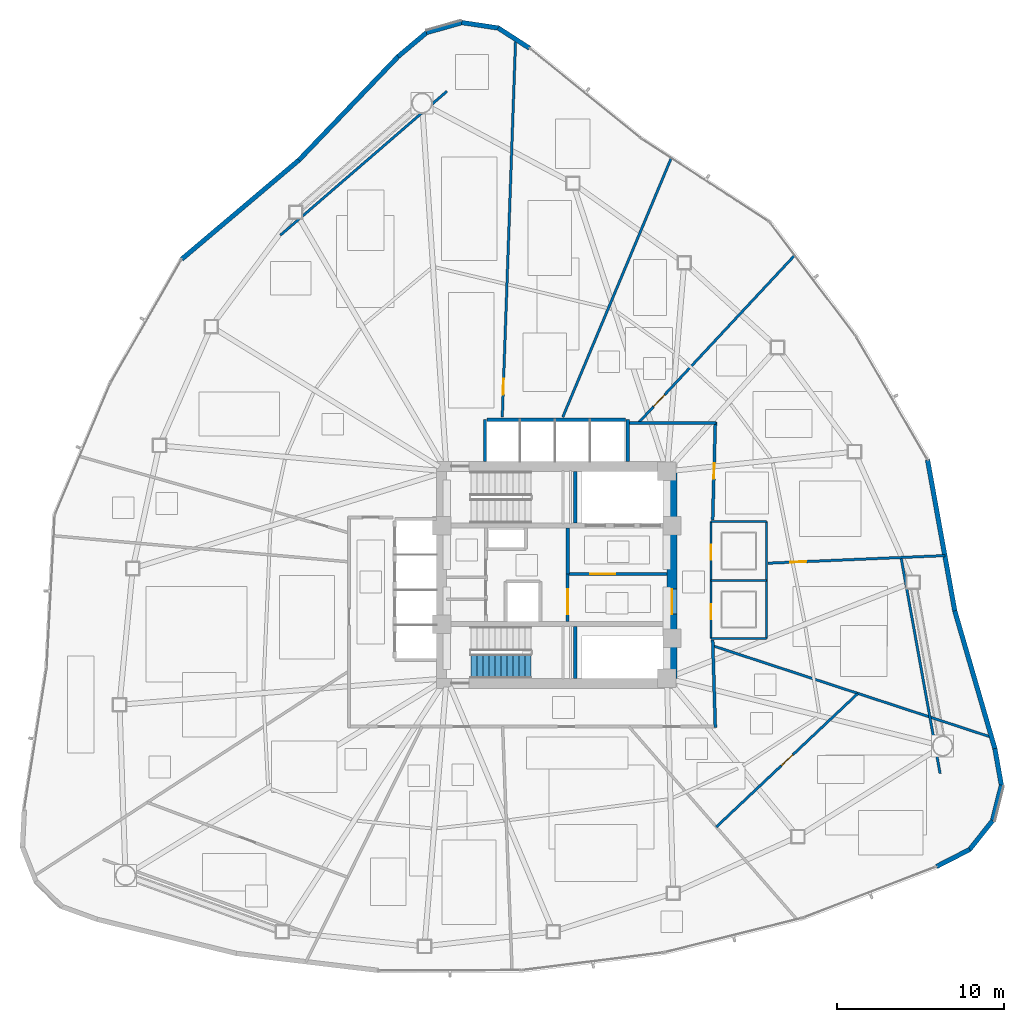
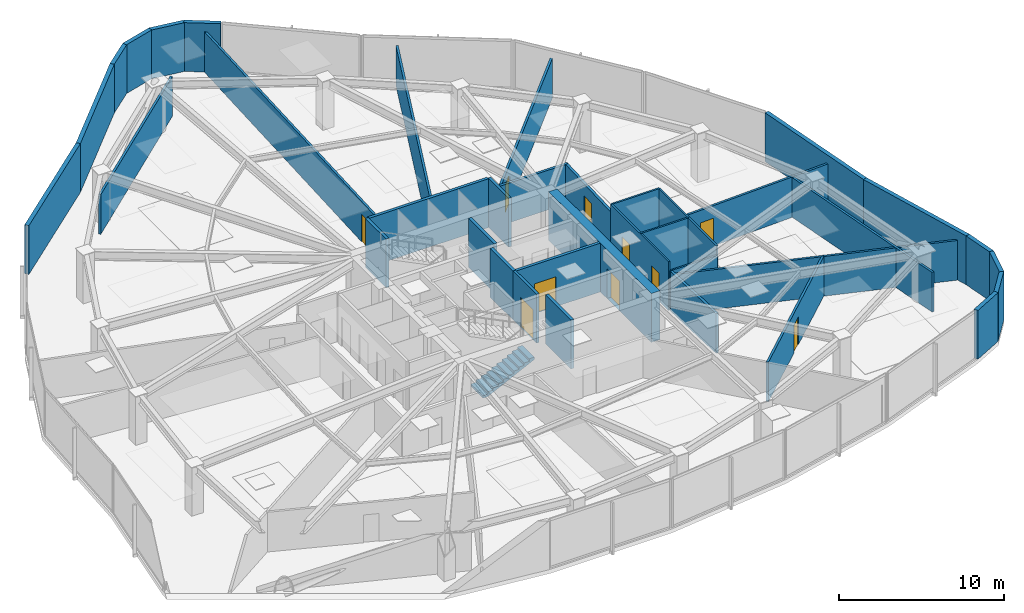
# One storey, part 12 of 17: 37 walls, 10 doors, 1 stair flight, 10 openings, 1 element without a shape of its own.
"""IFC4 building model written with IfcOpenShell, lengths in metres."""

import ifcopenshell
import ifcopenshell.guid

model = None  # the IFC model being written
_history = None  # IfcOwnerHistory: only IFC2X3 demands one
_inside = {}  # id of a spatial element -> (the spatial element, [elements in it])
_under = {}  # id of a project, library or spatial element -> (it, [spatial elements below it])
_declared = {}  # id of a project -> (the project, [libraries it declares])
_typed = {}  # id of a type object -> (the type object, [elements of that type])
_made_of = {}  # id of a material, layer set ... -> (it, [elements and type objects made of it])


def new_model(schema):
    """Start an empty IFC model of exactly this schema.

    Asked for "IFC4X3", IfcOpenShell would pick the latest addendum, in which some entities
    have other attributes; the version numbers below select the first issue.
    IFC2X3 requires an IfcOwnerHistory on every rooted entity: one is made here for all.
    """
    global model, _history
    if schema == "IFC4X3":
        model = ifcopenshell.file(schema_version=(4, 3, 0, 0))
    else:
        model = ifcopenshell.file(schema=schema)
    _inside.clear()
    _under.clear()
    _declared.clear()
    _typed.clear()
    _made_of.clear()
    _history = None
    if model.schema == "IFC2X3":
        org = make("IfcOrganization", Name="unknown")
        user = make(
            "IfcPersonAndOrganization",
            ThePerson=make("IfcPerson", FamilyName="unknown"),
            TheOrganization=org,
        )
        app = make(
            "IfcApplication",
            ApplicationDeveloper=org,
            Version="unknown",
            ApplicationFullName="unknown",
            ApplicationIdentifier="unknown",
        )
        _history = make(
            "IfcOwnerHistory",
            OwningUser=user,
            OwningApplication=app,
            ChangeAction="ADDED",
            CreationDate=0,
        )
    return model


def make(cls, **values):
    """One entity of the class cls with the attributes given. An attribute that is None is left unset."""
    return model.create_entity(
        cls, **{name: value for name, value in values.items() if value is not None}
    )


def rooted(cls, **values):
    """An entity with a GlobalId (a new one), such as an element, a storey or a relation."""
    return make(cls, GlobalId=ifcopenshell.guid.new(), OwnerHistory=_history, **values)


def si_unit(unit_type, name, prefix=None):
    """IfcSIUnit, for example si_unit("LENGTHUNIT", "METRE", prefix="MILLI")."""
    return make("IfcSIUnit", UnitType=unit_type, Prefix=prefix, Name=name)


def assignment(units):
    """IfcUnitAssignment: the units of a project."""
    return None if units is None else make("IfcUnitAssignment", Units=units)


def point(xyz):
    """IfcCartesianPoint."""
    return None if xyz is None else make("IfcCartesianPoint", Coordinates=xyz)


def direction(xyz):
    """IfcDirection."""
    return None if xyz is None else make("IfcDirection", DirectionRatios=xyz)


def frame(location, z_axis=None, x_axis=None):
    """IfcAxis2Placement3D, a coordinate frame: its origin and axes. An axis left out is left unset."""
    return make(
        "IfcAxis2Placement3D",
        Location=point(location),
        Axis=direction(z_axis),
        RefDirection=direction(x_axis),
    )


def frame_2d(location, x_axis=None):
    """IfcAxis2Placement2D, a coordinate frame in the plane: its origin and x axis."""
    return make(
        "IfcAxis2Placement2D", Location=point(location), RefDirection=direction(x_axis)
    )


def origin():
    """The frame at (0, 0, 0) with its axes left unset."""
    return frame((0.0, 0.0, 0.0))


def place(relative_to, where):
    """IfcLocalPlacement: puts the frame where relative to a parent placement (None: the world)."""
    return make(
        "IfcLocalPlacement", PlacementRelTo=relative_to, RelativePlacement=where
    )


def context(
    kind, dimensions, precision=None, world=None, true_north=None, identifier=None
):
    """IfcGeometricRepresentationContext, for example the 3D "Model" context."""
    return make(
        "IfcGeometricRepresentationContext",
        ContextIdentifier=identifier,
        ContextType=kind,
        CoordinateSpaceDimension=dimensions,
        Precision=precision,
        WorldCoordinateSystem=world,
        TrueNorth=true_north,
    )


def subcontext(parent, identifier, kind, view, scale=None):
    """IfcGeometricRepresentationSubContext, for example "Body" below "Model"."""
    return make(
        "IfcGeometricRepresentationSubContext",
        ContextIdentifier=identifier,
        ContextType=kind,
        ParentContext=parent,
        TargetScale=scale,
        TargetView=view,
    )


def project(units=None, contexts=None):
    """IfcProject with its units and contexts."""
    return rooted(
        "IfcProject",
        Name="project",
        RepresentationContexts=contexts,
        UnitsInContext=assignment(units),
    )


def spatial(cls, under=None, at=None, **own):
    """A site, building, storey or space (cls), placed at a placement, below another one or the project."""
    s = rooted(cls, ObjectPlacement=at, **own)
    if under is not None:
        _under.setdefault(under.id(), (under, []))[1].append(s)
    return s


def polyline(points):
    """IfcPolyline through the points."""
    return make("IfcPolyline", Points=[point(p) for p in points])


def profile(cls, at=None, kind="AREA", **sizes):
    """A parametric profile (cls). Its sizes go by their IFC names, for example OverallWidth=200.0."""
    return make(cls, ProfileType=kind, Position=at, **sizes)


def rectangle(**sizes):
    """IfcRectangleProfileDef."""
    return profile("IfcRectangleProfileDef", **sizes)


def outline(outer, holes=None, kind="AREA"):
    """IfcArbitraryClosedProfileDef: a profile drawn as a closed curve; with holes, ...WithVoids."""
    if holes is None:
        return make("IfcArbitraryClosedProfileDef", ProfileType=kind, OuterCurve=outer)
    return make(
        "IfcArbitraryProfileDefWithVoids",
        ProfileType=kind,
        OuterCurve=outer,
        InnerCurves=holes,
    )


def extrude(swept, where, along, depth):
    """IfcExtrudedAreaSolid: the profile swept, set in the frame where, extruded along a direction by depth."""
    return make(
        "IfcExtrudedAreaSolid",
        SweptArea=swept,
        Position=where,
        ExtrudedDirection=direction(along),
        Depth=depth,
    )


def shape(context_of_items, identifier, shape_type, items):
    """IfcShapeRepresentation: the items that make up one representation, for example the "Body"."""
    return make(
        "IfcShapeRepresentation",
        ContextOfItems=context_of_items,
        RepresentationIdentifier=identifier,
        RepresentationType=shape_type,
        Items=items,
    )


def material(Name=None, Category=None):
    """IfcMaterial."""
    return make("IfcMaterial", Name=Name, Category=Category)


def layer(
    of_material, thickness, ventilated=None, Name=None, Category=None, Priority=None
):
    """IfcMaterialLayer: one layer of a wall or slab, of a material (None: an air gap)."""
    return make(
        "IfcMaterialLayer",
        Material=of_material,
        LayerThickness=thickness,
        IsVentilated=ventilated,
        Name=Name,
        Category=Category,
        Priority=Priority,
    )


def layer_set(layers, Name=None):
    """IfcMaterialLayerSet."""
    return make("IfcMaterialLayerSet", MaterialLayers=layers, LayerSetName=Name)


def made_of(thing, what):
    """Note that an element or type object is made of a material, layer set ...; save() writes the relation."""
    if what is not None:
        _made_of.setdefault(what.id(), (what, []))[1].append(thing)
    return thing


def type_object(cls, material=None, **own):
    """A type object (cls), such as IfcWallType, which elements share."""
    return made_of(rooted(cls, **own), material)


def element(
    cls,
    number,
    at=None,
    inside=None,
    cuts=None,
    type_object=None,
    material=None,
    context=None,
    identifier="Body",
    shape_type=None,
    held_by="IfcProductDefinitionShape",
    body=None,
    shapes=None,
    **own,
):
    """One element of the class cls, such as IfcWall. Its Tag is "e" and its number.

    at: its placement. inside: the storey or other place that contains it. cuts: it is an
    opening in that element (IfcRelVoidsElement). A single representation is given by context,
    identifier, shape_type and body (its items); several are given by shapes. held_by: the class
    of the entity that holds the representations. save() writes the other relations.
    """
    e = rooted(cls, Tag="e%d" % number, ObjectPlacement=at, **own)
    if body is not None:
        shapes = [shape(context, identifier, shape_type, body)]
    if shapes is not None:
        e.Representation = make(held_by, Representations=shapes)
    if inside is not None:
        _inside.setdefault(inside.id(), (inside, []))[1].append(e)
    if cuts is not None:
        rooted(
            "IfcRelVoidsElement", RelatingBuildingElement=cuts, RelatedOpeningElement=e
        )
    if type_object is not None:
        _typed.setdefault(type_object.id(), (type_object, []))[1].append(e)
    return made_of(e, material)


def fill(opening, filler):
    """IfcRelFillsElement: the door or window that sits in an opening."""
    return rooted(
        "IfcRelFillsElement",
        RelatingOpeningElement=opening,
        RelatedBuildingElement=filler,
    )


def aggregate(whole, parts):
    """IfcRelAggregates: a whole, such as a stair, and the parts it consists of."""
    return rooted("IfcRelAggregates", RelatingObject=whole, RelatedObjects=parts)


def save(model, path):
    """Write the relations noted so far, then the file.

    IfcRelAggregates (storeys below a building ...), IfcRelContainedInSpatialStructure (elements
    in a storey), IfcRelDefinesByType, IfcRelAssociatesMaterial and IfcRelDeclares: one each for
    every whole, place, type object, material and project.
    """
    for whole, parts in _under.values():
        aggregate(whole, parts)
    for where, things in _inside.values():
        rooted(
            "IfcRelContainedInSpatialStructure",
            RelatedElements=things,
            RelatingStructure=where,
        )
    for kind, things in _typed.values():
        rooted("IfcRelDefinesByType", RelatedObjects=things, RelatingType=kind)
    for what, things in _made_of.values():
        rooted("IfcRelAssociatesMaterial", RelatedObjects=things, RelatingMaterial=what)
    for by, libraries in _declared.values():
        rooted("IfcRelDeclares", RelatingContext=by, RelatedDefinitions=libraries)
    model.write(path)


model = new_model("IFC4")

# Units and contexts
model_context = context("Model", 3, precision=1e-05, world=origin(), true_north=direction((0.0, 1.0)))
body_context = subcontext(model_context, "Body", "Model", "MODEL_VIEW")
ifc_project = project(units=[si_unit("LENGTHUNIT", "METRE"), si_unit("AREAUNIT", "SQUARE_METRE"), si_unit("VOLUMEUNIT", "CUBIC_METRE"), si_unit("PLANEANGLEUNIT", "RADIAN"), si_unit("MASSUNIT", "GRAM", prefix="KILO")], contexts=[model_context])

# Site, building, storey
site_placement = place(None, origin())
site = spatial("IfcSite", under=ifc_project, at=site_placement, CompositionType="ELEMENT")
building_placement = place(site_placement, origin())
building = spatial("IfcBuilding", under=site, at=building_placement, Name="Tavelor Broadcast Tower", CompositionType="ELEMENT")
storey_placement = place(building_placement, frame((0.0, 0.0, 39.300048828125)))
storey = spatial("IfcBuildingStorey", under=building, at=storey_placement, Name="L08", CompositionType="ELEMENT", Elevation=39.300048828125)

# Wall, opening, door
ifc_material_1 = material(Name="Concrete C60/75", Category="concrete")
ifc_layer_1 = layer(ifc_material_1, 0.60009765625)
ifc_layer_set_1 = layer_set([ifc_layer_1], Name="Concrete C60/75")
wall_type_1 = type_object("IfcWallType", Name="Core Shear Wall 600 mm", PredefinedType="SHEAR", material=ifc_layer_set_1)
wall_1_placement = place(storey_placement, frame((56.89990234375, 38.800048828125, 0.0), z_axis=(0.0, 0.0, 1.0), x_axis=(0.0, 1.0, 0.0)))
wall_1 = element("IfcWall", 1, at=wall_1_placement, inside=storey, type_object=wall_type_1, Name="L08 Central Core Shear Wall E", PredefinedType="SHEAR", context=body_context, shape_type="SweptSolid", body=[
    extrude(rectangle(XDim=12.39990234375, YDim=0.60009765625, at=frame_2d((6.199951171875, 0.0))), origin(), (0.0, 0.0, 1.0), 3.599853515625),
])
opening_1_placement = place(wall_1_placement, frame((3.85009765625, 0.0, 0.0)))
opening_1 = element("IfcOpeningElement", 2, at=opening_1_placement, cuts=wall_1, Name="Opening DR14", PredefinedType="OPENING", context=body_context, shape_type="SweptSolid", body=[
    extrude(rectangle(XDim=1.5, YDim=2.199951171875, at=frame_2d((0.75, 1.10009765625))), frame((0.0, 0.31005859375, 0.0), z_axis=(0.0, -1.0, 0.0), x_axis=(1.0, 0.0, 0.0)), (0.0, 0.0, 1.0), 0.6201171875),
])
ifc_material_2 = material(Name="Steel S355", Category="steel")
door_type_1 = type_object("IfcDoorType", Name="Firefighting Lobby Double Fire Door 1500x2200", OperationType="NOTDEFINED", PredefinedType="DOOR", material=ifc_material_2)
door_1_placement = place(opening_1_placement, origin())
door_1 = element("IfcDoor", 3, at=door_1_placement, inside=storey, type_object=door_type_1, Name="L08 Central Core Lobby Fire Door", OperationType="SINGLE_SWING_LEFT", OverallHeight=2.199951171875, OverallWidth=1.5, PredefinedType="DOOR", context=body_context, shape_type="SweptSolid", body=[
    extrude(rectangle(XDim=1.5, YDim=2.199951171875, at=frame_2d((0.75, 1.10009765625))), frame((0.0, 0.02490234375, 0.0), z_axis=(0.0, -1.0, 0.0), x_axis=(1.0, 0.0, 0.0)), (0.0, 0.0, 1.0), 0.050048828125),
])
fill(opening_1, door_1)

ifc_material_3 = material(Name="Calcium Silicate Fire Board 180 mm", Category="gypsum")
ifc_layer_2 = layer(ifc_material_3, 0.179931640625)
ifc_layer_set_2 = layer_set([ifc_layer_2], Name="Calcium Silicate Fire Board 180 mm")
wall_type_2 = type_object("IfcWallType", Name="Fire-Rated Corridor Partition Wall 180 mm", PredefinedType="PARTITIONING", material=ifc_layer_set_2)
wall_2_placement = place(storey_placement, frame((50.64990234375, 42.199951171875, 0.0), z_axis=(0.0, 0.0, 1.0), x_axis=(0.0, 1.0, 0.0)))
wall_2 = element("IfcWall", 4, at=wall_2_placement, inside=storey, type_object=wall_type_2, Name="L08 Core Lobby Zoning Wall", PredefinedType="PARTITIONING", context=body_context, shape_type="SweptSolid", body=[
    extrude(rectangle(XDim=2.85009765625, YDim=0.179931640625, at=frame_2d((1.425048828125, 0.0))), origin(), (0.0, 0.0, 1.0), 3.599853515625),
])
opening_2_placement = place(wall_2_placement, frame((0.449951171875, 0.0, 0.0)))
opening_2 = element("IfcOpeningElement", 5, at=opening_2_placement, cuts=wall_2, Name="Opening DR14", PredefinedType="OPENING", context=body_context, shape_type="SweptSolid", body=[
    extrude(rectangle(XDim=1.5, YDim=2.199951171875, at=frame_2d((0.75, 1.10009765625))), frame((0.0, 0.10009765625, 0.0), z_axis=(0.0, -1.0, 0.0), x_axis=(1.0, 0.0, 0.0)), (0.0, 0.0, 1.0), 0.199951171875),
])
door_2_placement = place(opening_2_placement, origin())
door_2 = element("IfcDoor", 6, at=door_2_placement, inside=storey, type_object=door_type_1, Name="L08 Core West Lobby Double Fire Door", OperationType="SINGLE_SWING_LEFT", OverallHeight=2.199951171875, OverallWidth=1.5, PredefinedType="DOOR", context=body_context, shape_type="SweptSolid", body=[
    extrude(rectangle(XDim=1.5, YDim=2.199951171875, at=frame_2d((0.75, 1.10009765625))), frame((0.0, 0.02490234375, 0.0), z_axis=(0.0, -1.0, 0.0), x_axis=(1.0, 0.0, 0.0)), (0.0, 0.0, 1.0), 0.050048828125),
])
fill(opening_2, door_2)

# Wall
wall_3_placement = place(storey_placement, frame((54.300048828125, 54.10009765625, 0.0), z_axis=(0.0, 0.0, 1.0), x_axis=(1.0, 0.0, 0.0)))
element("IfcWall", 7, at=wall_3_placement, inside=storey, type_object=wall_type_2, Name="L08 Corridor Compartment Wall 01", PredefinedType="PARTITIONING", context=body_context, shape_type="SweptSolid", body=[
    extrude(rectangle(XDim=5.25, YDim=0.179931640625, at=frame_2d((2.625, 0.0))), origin(), (0.0, 0.0, 1.0), 2.925048828125),
])

# Wall, opening, door
wall_4_placement = place(storey_placement, frame((59.50146484375, 54.14990234375, 0.0), z_axis=(0.0, 0.0, 1.0), x_axis=(-0.027367567602, -0.999625437973, 0.0)))
wall_4 = element("IfcWall", 8, at=wall_4_placement, inside=storey, type_object=wall_type_2, Name="L08 Corridor Compartment Wall 02", PredefinedType="PARTITIONING", context=body_context, shape_type="SweptSolid", body=[
    extrude(rectangle(XDim=5.85205078125, YDim=0.179931640625, at=frame_2d((2.926025390625, 0.0))), origin(), (0.0, 0.0, 1.0), 2.925048828125),
])
opening_3_placement = place(wall_4_placement, frame((2.451171875, 0.0, 0.0)))
opening_3 = element("IfcOpeningElement", 9, at=opening_3_placement, cuts=wall_4, Name="Opening DR18", PredefinedType="OPENING", context=body_context, shape_type="SweptSolid", body=[
    extrude(rectangle(XDim=0.949951171875, YDim=2.050048828125, at=frame_2d((0.47509765625, 1.02490234375))), frame((0.0, 0.10009765625, 0.0), z_axis=(0.0, -1.0, 0.0), x_axis=(1.0, 0.0, 0.0)), (0.0, 0.0, 1.0), 0.199951171875),
])
ifc_material_4 = material(Name="Timber Solid Core Hardwood", Category="wood")
door_type_2 = type_object("IfcDoorType", Name="Corridor Rated Compartment Door 950x2050", OperationType="NOTDEFINED", PredefinedType="DOOR", material=ifc_material_4)
door_3_placement = place(opening_3_placement, origin())
door_3 = element("IfcDoor", 10, at=door_3_placement, inside=storey, type_object=door_type_2, Name="L08 Broadcast Concierge Desk Door R8", OperationType="SINGLE_SWING_LEFT", OverallHeight=2.050048828125, OverallWidth=0.949951171875, PredefinedType="DOOR", context=body_context, shape_type="SweptSolid", body=[
    extrude(rectangle(XDim=0.949951171875, YDim=2.050048828125, at=frame_2d((0.47509765625, 1.02490234375))), frame((0.0, 0.02490234375, 0.0), z_axis=(0.0, -1.0, 0.0), x_axis=(1.0, 0.0, 0.0)), (0.0, 0.0, 1.0), 0.050048828125),
])
fill(opening_3, door_3)

# Walls
wall_5_placement = place(storey_placement, frame((59.341552734375, 41.10009765625, 0.0), z_axis=(0.0, 0.0, 1.0), x_axis=(0.030445329425, -0.999536433511, 0.0)))
element("IfcWall", 11, at=wall_5_placement, inside=storey, type_object=wall_type_2, Name="L08 Corridor Compartment Wall 03", PredefinedType="PARTITIONING", context=body_context, shape_type="SweptSolid", body=[
    extrude(rectangle(XDim=5.25244140625, YDim=0.179931640625, at=frame_2d((2.626220703125, 0.0))), origin(), (0.0, 0.0, 1.0), 2.925048828125),
])
ifc_material_5 = material(Name="Precast Concrete C40/50", Category="concrete")
ifc_layer_3 = layer(ifc_material_5, 0.280029296875)
ifc_layer_set_3 = layer_set([ifc_layer_3], Name="Precast Concrete C40/50")
wall_type_3 = type_object("IfcWallType", Name="Insulated Precast Terracotta Facade Wall 280 mm", PredefinedType="STANDARD", material=ifc_layer_set_3)
wall_6_placement = place(storey_placement, frame((48.363037109375, 76.559814453125, 0.0), z_axis=(0.0, 0.0, 1.0), x_axis=(-0.840072472412, 0.542474184727, 0.0)))
element("IfcWall", 12, at=wall_6_placement, inside=storey, type_object=wall_type_3, Name="L08 Rounded Corner Structural Cladding Pier 01", PredefinedType="STANDARD", context=body_context, shape_type="SweptSolid", body=[
    extrude(rectangle(XDim=2.2412109375, YDim=0.280029296875, at=frame_2d((1.12060546875, 0.0))), origin(), (0.0, 0.0, 1.0), 3.599853515625),
])
wall_7_placement = place(storey_placement, frame((46.5078125, 77.76513671875, 0.0), z_axis=(0.0, 0.0, 1.0), x_axis=(-0.988882475494, 0.148699191864, 0.0)))
element("IfcWall", 13, at=wall_7_placement, inside=storey, type_object=wall_type_3, Name="L08 Rounded Corner Structural Cladding Pier 02", PredefinedType="STANDARD", context=body_context, shape_type="SweptSolid", body=[
    extrude(rectangle(XDim=2.229736328125, YDim=0.280029296875, at=frame_2d((1.11474609375, 0.0))), origin(), (0.0, 0.0, 1.0), 3.599853515625),
])
wall_8_placement = place(storey_placement, frame((44.332275390625, 78.098388671875, 0.0), z_axis=(0.0, 0.0, 1.0), x_axis=(-0.962476815064, -0.271363926241, 0.0)))
element("IfcWall", 14, at=wall_8_placement, inside=storey, type_object=wall_type_3, Name="L08 Rounded Corner Structural Cladding Pier 03", PredefinedType="STANDARD", context=body_context, shape_type="SweptSolid", body=[
    extrude(rectangle(XDim=2.2294921875, YDim=0.280029296875, at=frame_2d((1.11474609375, 0.0))), origin(), (0.0, 0.0, 1.0), 3.599853515625),
])
wall_9_placement = place(storey_placement, frame((42.21240234375, 77.507080078125, 0.0), z_axis=(0.0, 0.0, 1.0), x_axis=(-0.765450672615, -0.643494574797, 0.0)))
element("IfcWall", 15, at=wall_9_placement, inside=storey, type_object=wall_type_3, Name="L08 Rounded Corner Structural Cladding Pier 04", PredefinedType="STANDARD", context=body_context, shape_type="SweptSolid", body=[
    extrude(rectangle(XDim=2.252197265625, YDim=0.280029296875, at=frame_2d((1.1259765625, 0.0))), origin(), (0.0, 0.0, 1.0), 3.599853515625),
])
wall_10_placement = place(storey_placement, frame((40.510498046875, 76.078369140625, 0.0), z_axis=(0.0, 0.0, 1.0), x_axis=(-0.691854983752, -0.722036482082, 0.0)))
element("IfcWall", 16, at=wall_10_placement, inside=storey, type_object=wall_type_3, Name="L08 Rounded Corner Structural Cladding Pier 05", PredefinedType="STANDARD", context=body_context, shape_type="SweptSolid", body=[
    extrude(rectangle(XDim=8.631103515625, YDim=0.280029296875, at=frame_2d((4.3154296875, 0.0))), origin(), (0.0, 0.0, 1.0), 3.599853515625),
])
wall_11_placement = place(storey_placement, frame((34.56103515625, 69.866943359375, 0.0), z_axis=(0.0, 0.0, 1.0), x_axis=(-0.763530938184, -0.64577124931, 0.0)))
element("IfcWall", 17, at=wall_11_placement, inside=storey, type_object=wall_type_3, Name="L08 Rounded Corner Structural Cladding Pier 06", PredefinedType="STANDARD", context=body_context, shape_type="SweptSolid", body=[
    extrude(rectangle(XDim=9.217529296875, YDim=0.280029296875, at=frame_2d((4.60888671875, 0.0))), origin(), (0.0, 0.0, 1.0), 3.599853515625),
])
wall_12_placement = place(storey_placement, frame((72.750244140625, 27.52001953125, 0.0), z_axis=(0.0, 0.0, 1.0), x_axis=(0.889804986507, 0.456340975573, 0.0)))
element("IfcWall", 18, at=wall_12_placement, inside=storey, type_object=wall_type_3, Name="L08 Rounded Corner Structural Cladding Pier 21", PredefinedType="STANDARD", context=body_context, shape_type="SweptSolid", body=[
    extrude(rectangle(XDim=2.2412109375, YDim=0.280029296875, at=frame_2d((1.12060546875, 0.0))), origin(), (0.0, 0.0, 1.0), 3.599853515625),
])
wall_13_placement = place(storey_placement, frame((74.7216796875, 28.524169921875, 0.0), z_axis=(0.0, 0.0, 1.0), x_axis=(0.623238241012, 0.782032029357, 0.0)))
element("IfcWall", 19, at=wall_13_placement, inside=storey, type_object=wall_type_3, Name="L08 Rounded Corner Structural Cladding Pier 22", PredefinedType="STANDARD", context=body_context, shape_type="SweptSolid", body=[
    extrude(rectangle(XDim=2.229248046875, YDim=0.280029296875, at=frame_2d((1.11474609375, 0.0))), origin(), (0.0, 0.0, 1.0), 3.599853515625),
])
wall_14_placement = place(storey_placement, frame((76.097900390625, 30.241455078125, 0.0), z_axis=(0.0, 0.0, 1.0), x_axis=(0.246166908959, 0.969227451599, 0.0)))
element("IfcWall", 20, at=wall_14_placement, inside=storey, type_object=wall_type_3, Name="L08 Rounded Corner Structural Cladding Pier 23", PredefinedType="STANDARD", context=body_context, shape_type="SweptSolid", body=[
    extrude(rectangle(XDim=2.2294921875, YDim=0.280029296875, at=frame_2d((1.11474609375, 0.0))), origin(), (0.0, 0.0, 1.0), 3.599853515625),
])
wall_15_placement = place(storey_placement, frame((76.645751953125, 32.373046875, 0.0), z_axis=(0.0, 0.0, 1.0), x_axis=(-0.174533575801, 0.984651222981, 0.0)))
element("IfcWall", 21, at=wall_15_placement, inside=storey, type_object=wall_type_3, Name="L08 Rounded Corner Structural Cladding Pier 24", PredefinedType="STANDARD", context=body_context, shape_type="SweptSolid", body=[
    extrude(rectangle(XDim=2.252197265625, YDim=0.280029296875, at=frame_2d((1.1259765625, 0.0))), origin(), (0.0, 0.0, 1.0), 3.599853515625),
])
wall_16_placement = place(storey_placement, frame((76.259521484375, 34.561279296875, 0.0), z_axis=(0.0, 0.0, 1.0), x_axis=(-0.279384069801, 0.960179431951, 0.0)))
element("IfcWall", 22, at=wall_16_placement, inside=storey, type_object=wall_type_3, Name="L08 Rounded Corner Structural Cladding Pier 25", PredefinedType="STANDARD", context=body_context, shape_type="SweptSolid", body=[
    extrude(rectangle(XDim=8.631103515625, YDim=0.280029296875, at=frame_2d((4.3154296875, 0.0))), origin(), (0.0, 0.0, 1.0), 3.599853515625),
])
wall_17_placement = place(storey_placement, frame((73.85498046875, 42.819580078125, 0.0), z_axis=(0.0, 0.0, 1.0), x_axis=(-0.177493704395, 0.984121935992, 0.0)))
element("IfcWall", 23, at=wall_17_placement, inside=storey, type_object=wall_type_3, Name="L08 Rounded Corner Structural Cladding Pier 26", PredefinedType="STANDARD", context=body_context, shape_type="SweptSolid", body=[
    extrude(rectangle(XDim=9.217041015625, YDim=0.280029296875, at=frame_2d((4.6083984375, 0.0))), origin(), (0.0, 0.0, 1.0), 3.599853515625),
])
ifc_material_6 = material(Name="Gypsum Acoustic Plasterboard 150 mm", Category="gypsum")
ifc_layer_4 = layer(ifc_material_6, 0.14990234375)
ifc_layer_set_4 = layer_set([ifc_layer_4], Name="Gypsum Acoustic Plasterboard 150 mm")
wall_type_4 = type_object("IfcWallType", Name="Interior Acoustic Partition Wall 150 mm", PredefinedType="PARTITIONING", material=ifc_layer_set_4)
wall_18_placement = place(storey_placement, frame((43.42138671875, 73.9794921875, 0.0), z_axis=(0.0, 0.0, 1.0), x_axis=(-0.756659135409, -0.653809569218, 0.0)))
element("IfcWall", 24, at=wall_18_placement, inside=storey, type_object=wall_type_4, Name="L08 Corner Tube Brace Furring Wall 1", PredefinedType="PARTITIONING", context=body_context, shape_type="SweptSolid", body=[
    extrude(rectangle(XDim=13.200439453125, YDim=0.14990234375, at=frame_2d((6.60009765625, 0.0))), origin(), (0.0, 0.0, 1.0), 2.925048828125),
])
wall_19_placement = place(storey_placement, frame((72.96923828125, 33.09130859375, 0.0), z_axis=(0.0, 0.0, 1.0), x_axis=(-0.177742578179, 0.984077017261, 0.0)))
element("IfcWall", 25, at=wall_19_placement, inside=storey, type_object=wall_type_4, Name="L08 Corner Tube Brace Furring Wall 3", PredefinedType="PARTITIONING", context=body_context, shape_type="SweptSolid", body=[
    extrude(rectangle(XDim=13.179443359375, YDim=0.14990234375, at=frame_2d((6.58984375, 0.0))), origin(), (0.0, 0.0, 1.0), 2.925048828125),
])

# Wall, opening, door
wall_20_placement = place(storey_placement, frame((54.885986328125, 54.10009765625, 0.0), z_axis=(0.0, 0.0, 1.0), x_axis=(0.682000556226, 0.731351653657, 0.0)))
wall_20 = element("IfcWall", 26, at=wall_20_placement, inside=storey, type_object=wall_type_4, Name="L08 Radial Compartment Wall 01", PredefinedType="PARTITIONING", context=body_context, shape_type="SweptSolid", body=[
    extrude(rectangle(XDim=13.747802734375, YDim=0.14990234375, at=frame_2d((6.8740234375, 0.0))), origin(), (0.0, 0.0, 1.0), 2.925048828125),
])
opening_4_placement = place(wall_20_placement, frame((1.35009765625, 0.0, 0.0)))
opening_4 = element("IfcOpeningElement", 27, at=opening_4_placement, cuts=wall_20, Name="Opening DR18", PredefinedType="OPENING", context=body_context, shape_type="SweptSolid", body=[
    extrude(rectangle(XDim=0.949951171875, YDim=2.050048828125, at=frame_2d((0.47509765625, 1.02490234375))), frame((0.0, 0.0849609375, 0.0), z_axis=(0.0, -1.0, 0.0), x_axis=(1.0, 0.0, 0.0)), (0.0, 0.0, 1.0), 0.169921875),
])
door_4_placement = place(opening_4_placement, origin())
door_4 = element("IfcDoor", 28, at=door_4_placement, inside=storey, type_object=door_type_2, Name="L08 Suite Connecting Door 7", OperationType="SINGLE_SWING_LEFT", OverallHeight=2.050048828125, OverallWidth=0.949951171875, PredefinedType="DOOR", context=body_context, shape_type="SweptSolid", body=[
    extrude(rectangle(XDim=0.949951171875, YDim=2.050048828125, at=frame_2d((0.47509765625, 1.02490234375))), frame((0.0, 0.02490234375, 0.0), z_axis=(0.0, -1.0, 0.0), x_axis=(1.0, 0.0, 0.0)), (0.0, 0.0, 1.0), 0.050048828125),
])
fill(opening_4, door_4)

# Wall
wall_21_placement = place(storey_placement, frame((50.357421875, 54.449951171875, 0.0), z_axis=(0.0, 0.0, 1.0), x_axis=(0.386251161363, 0.922393647173, 0.0)))
element("IfcWall", 29, at=wall_21_placement, inside=storey, type_object=wall_type_4, Name="L08 Radial Compartment Wall 02", PredefinedType="PARTITIONING", context=body_context, shape_type="SweptSolid", body=[
    extrude(rectangle(XDim=16.83349609375, YDim=0.14990234375, at=frame_2d((8.416748046875, 0.0))), origin(), (0.0, 0.0, 1.0), 2.925048828125),
])

# Wall, opening, door
wall_22_placement = place(storey_placement, frame((46.7333984375, 54.449951171875, 0.0), z_axis=(0.0, 0.0, 1.0), x_axis=(0.035277469933, 0.99937755634, 0.0)))
wall_22 = element("IfcWall", 30, at=wall_22_placement, inside=storey, type_object=wall_type_4, Name="L08 Radial Compartment Wall 03", PredefinedType="PARTITIONING", context=body_context, shape_type="SweptSolid", body=[
    extrude(rectangle(XDim=22.671875, YDim=0.14990234375, at=frame_2d((11.3359375, 0.0))), origin(), (0.0, 0.0, 1.0), 2.974853515625),
])
opening_5_placement = place(wall_22_placement, frame((1.35009765625, 0.0, 0.0)))
opening_5 = element("IfcOpeningElement", 31, at=opening_5_placement, cuts=wall_22, Name="Opening DR18", PredefinedType="OPENING", context=body_context, shape_type="SweptSolid", body=[
    extrude(rectangle(XDim=0.949951171875, YDim=2.050048828125, at=frame_2d((0.47509765625, 1.02490234375))), frame((0.0, 0.0849609375, 0.0), z_axis=(0.0, -1.0, 0.0), x_axis=(1.0, 0.0, 0.0)), (0.0, 0.0, 1.0), 0.169921875),
])
door_5_placement = place(opening_5_placement, origin())
door_5 = element("IfcDoor", 32, at=door_5_placement, inside=storey, type_object=door_type_2, Name="L08 Suite Connecting Door 6", OperationType="SINGLE_SWING_RIGHT", OverallHeight=2.050048828125, OverallWidth=0.949951171875, PredefinedType="DOOR", context=body_context, shape_type="SweptSolid", body=[
    extrude(rectangle(XDim=0.949951171875, YDim=2.050048828125, at=frame_2d((0.47509765625, 1.02490234375))), frame((0.0, 0.02490234375, 0.0), z_axis=(0.0, -1.0, 0.0), x_axis=(1.0, 0.0, 0.0)), (0.0, 0.0, 1.0), 0.050048828125),
])
fill(opening_5, door_5)

# Wall
wall_23_placement = place(storey_placement, frame((59.352294921875, 40.748046875, 0.0), z_axis=(0.0, 0.0, 1.0), x_axis=(0.950115380338, -0.311898643866, 0.0)))
element("IfcWall", 33, at=wall_23_placement, inside=storey, type_object=wall_type_4, Name="L08 Radial Compartment Wall 10", PredefinedType="PARTITIONING", context=body_context, shape_type="SweptSolid", body=[
    extrude(rectangle(XDim=17.591552734375, YDim=0.14990234375, at=frame_2d((8.7958984375, 0.0))), origin(), (0.0, 0.0, 1.0), 2.925048828125),
])

# Wall, opening, door
wall_24_placement = place(storey_placement, frame((62.64990234375, 45.697509765625, 0.0), z_axis=(0.0, 0.0, 1.0), x_axis=(0.999079170403, 0.042904676507, 0.0)))
wall_24 = element("IfcWall", 34, at=wall_24_placement, inside=storey, type_object=wall_type_4, Name="L08 Radial Compartment Wall 11", PredefinedType="PARTITIONING", context=body_context, shape_type="SweptSolid", body=[
    extrude(rectangle(XDim=10.623779296875, YDim=0.14990234375, at=frame_2d((5.31201171875, 0.0))), origin(), (0.0, 0.0, 1.0), 2.974853515625),
])
opening_6_placement = place(wall_24_placement, frame((1.35009765625, 0.0, 0.0)))
opening_6 = element("IfcOpeningElement", 35, at=opening_6_placement, cuts=wall_24, Name="Opening DR18", PredefinedType="OPENING", context=body_context, shape_type="SweptSolid", body=[
    extrude(rectangle(XDim=0.949951171875, YDim=2.050048828125, at=frame_2d((0.47509765625, 1.02490234375))), frame((0.0, 0.0849609375, 0.0), z_axis=(0.0, -1.0, 0.0), x_axis=(1.0, 0.0, 0.0)), (0.0, 0.0, 1.0), 0.169921875),
])
door_6_placement = place(opening_6_placement, origin())
door_6 = element("IfcDoor", 36, at=door_6_placement, inside=storey, type_object=door_type_2, Name="L08 Suite Connecting Door 9", OperationType="SINGLE_SWING_RIGHT", OverallHeight=2.050048828125, OverallWidth=0.949951171875, PredefinedType="DOOR", context=body_context, shape_type="SweptSolid", body=[
    extrude(rectangle(XDim=0.949951171875, YDim=2.050048828125, at=frame_2d((0.47509765625, 1.02490234375))), frame((0.0, 0.02490234375, 0.0), z_axis=(0.0, -1.0, 0.0), x_axis=(1.0, 0.0, 0.0)), (0.0, 0.0, 1.0), 0.050048828125),
])
fill(opening_6, door_6)

wall_25_placement = place(storey_placement, frame((59.55908203125, 29.89453125, 0.0), z_axis=(0.0, 0.0, 1.0), x_axis=(0.727559251267, 0.686044849769, 0.0)))
wall_25 = element("IfcWall", 37, at=wall_25_placement, inside=storey, type_object=wall_type_4, Name="L08 Suite Chord Partition Wall 02", PredefinedType="PARTITIONING", context=body_context, shape_type="SweptSolid", body=[
    extrude(rectangle(XDim=11.661865234375, YDim=0.14990234375, at=frame_2d((5.8310546875, 0.0))), origin(), (0.0, 0.0, 1.0), 2.925048828125),
])
opening_7_placement = place(wall_25_placement, frame((5.355712890625, 0.0, 0.0)))
opening_7 = element("IfcOpeningElement", 38, at=opening_7_placement, cuts=wall_25, Name="Opening DR23", PredefinedType="OPENING", context=body_context, shape_type="SweptSolid", body=[
    extrude(rectangle(XDim=0.949951171875, YDim=2.050048828125, at=frame_2d((0.47509765625, 1.02490234375))), frame((0.0, 0.0849609375, 0.0), z_axis=(0.0, -1.0, 0.0), x_axis=(1.0, 0.0, 0.0)), (0.0, 0.0, 1.0), 0.169921875),
])
door_type_3 = type_object("IfcDoorType", Name="Editorial Room Acoustic Door 950x2050", OperationType="NOTDEFINED", PredefinedType="DOOR", material=ifc_material_4)
door_7_placement = place(opening_7_placement, origin())
door_7 = element("IfcDoor", 39, at=door_7_placement, inside=storey, type_object=door_type_3, Name="L08 Outer Suite Partition Door 2", OperationType="SINGLE_SWING_RIGHT", OverallHeight=2.050048828125, OverallWidth=0.949951171875, PredefinedType="DOOR", context=body_context, shape_type="SweptSolid", body=[
    extrude(rectangle(XDim=0.949951171875, YDim=2.050048828125, at=frame_2d((0.47509765625, 1.02490234375))), frame((0.0, 0.02490234375, 0.0), z_axis=(0.0, -1.0, 0.0), x_axis=(1.0, 0.0, 0.0)), (0.0, 0.0, 1.0), 0.050048828125),
])
fill(opening_7, door_7)

# Walls
ifc_material_7 = material(Name="Concrete Blockwork 200 mm", Category="masonry")
ifc_layer_5 = layer(ifc_material_7, 0.199951171875)
ifc_layer_set_5 = layer_set([ifc_layer_5], Name="Concrete Blockwork 200 mm")
wall_type_5 = type_object("IfcWallType", Name="Lift Hoistway Rated Front Wall 200 mm", PredefinedType="PARTITIONING", material=ifc_layer_set_5)
wall_26_placement = place(storey_placement, frame((45.820068359375, 54.300048828125, 0.0), z_axis=(0.0, 0.0, 1.0), x_axis=(1.0, 0.0, 0.0)))
element("IfcWall", 40, at=wall_26_placement, inside=storey, type_object=wall_type_5, Name="L08 High-Rise Lift Hoistway Front Wall", PredefinedType="PARTITIONING", context=body_context, shape_type="SweptSolid", body=[
    extrude(rectangle(XDim=8.309814453125, YDim=0.199951171875, at=frame_2d((4.15478515625, 0.0))), origin(), (0.0, 0.0, 1.0), 3.599853515625),
])
ifc_layer_6 = layer(ifc_material_7, 0.199951171875)
ifc_layer_set_6 = layer_set([ifc_layer_6], Name="Concrete Blockwork 200 mm")
wall_type_6 = type_object("IfcWallType", Name="Lift and Riser Shaft Enclosure Wall 200 mm", PredefinedType="PARTITIONING", material=ifc_layer_set_6)
for number, where, z_axis, x_axis, name in (
    (41, (45.699951171875, 51.800048828125, 0.0), (0.0, 0.0, 1.0), (0.0, 1.0, 0.0), "L08 High-Rise Lift Shaft West Wall"),
    (42, (54.25, 51.800048828125, 0.0), (0.0, 0.0, 1.0), (0.0, 1.0, 0.0), "L08 High-Rise Lift Shaft East Wall"),
):
    element("IfcWall", number, at=place(storey_placement, frame(where, z_axis=z_axis, x_axis=x_axis)), inside=storey, type_object=wall_type_6, Name=name, PredefinedType="PARTITIONING", context=body_context, shape_type="SweptSolid", body=[
        extrude(rectangle(XDim=2.5, YDim=0.199951171875, at=frame_2d((1.25, 0.0))), origin(), (0.0, 0.0, 1.0), 3.599853515625),
    ])

# Wall, opening, door
wall_27_placement = place(storey_placement, frame((50.64990234375, 45.050048828125, 0.0), z_axis=(0.0, 0.0, 1.0), x_axis=(1.0, 0.0, 0.0)))
wall_27 = element("IfcWall", 43, at=wall_27_placement, inside=storey, type_object=wall_type_6, Name="L08 Firefighting Lobby South Wall", PredefinedType="PARTITIONING", context=body_context, shape_type="SweptSolid", body=[
    extrude(rectangle(XDim=5.9501953125, YDim=0.199951171875, at=frame_2d((2.97509765625, 0.0))), origin(), (0.0, 0.0, 1.0), 3.599853515625),
])
opening_8_placement = place(wall_27_placement, frame((1.35009765625, 0.0, 0.0)))
opening_8 = element("IfcOpeningElement", 44, at=opening_8_placement, cuts=wall_27, Name="Opening DR14", PredefinedType="OPENING", context=body_context, shape_type="SweptSolid", body=[
    extrude(rectangle(XDim=1.5, YDim=2.199951171875, at=frame_2d((0.75, 1.10009765625))), frame((0.0, 0.10986328125, 0.0), z_axis=(0.0, -1.0, 0.0), x_axis=(1.0, 0.0, 0.0)), (0.0, 0.0, 1.0), 0.219970703125),
])
door_8_placement = place(opening_8_placement, origin())
door_8 = element("IfcDoor", 45, at=door_8_placement, inside=storey, type_object=door_type_1, Name="L08 Firefighting Lobby Compartment Door", OperationType="SINGLE_SWING_RIGHT", OverallHeight=2.199951171875, OverallWidth=1.5, PredefinedType="DOOR", context=body_context, shape_type="SweptSolid", body=[
    extrude(rectangle(XDim=1.5, YDim=2.199951171875, at=frame_2d((0.75, 1.10009765625))), frame((0.0, 0.02490234375, 0.0), z_axis=(0.0, -1.0, 0.0), x_axis=(1.0, 0.0, 0.0)), (0.0, 0.0, 1.0), 0.050048828125),
])
fill(opening_8, door_8)

# Wall
wall_28_placement = place(storey_placement, frame((50.64990234375, 45.050048828125, 0.0), z_axis=(0.0, 0.0, 1.0), x_axis=(0.0, 1.0, 0.0)))
element("IfcWall", 46, at=wall_28_placement, inside=storey, type_object=wall_type_6, Name="L08 Firefighting Lobby West Wall", PredefinedType="PARTITIONING", context=body_context, shape_type="SweptSolid", body=[
    extrude(rectangle(XDim=2.75, YDim=0.199951171875, at=frame_2d((1.375, 0.0))), origin(), (0.0, 0.0, 1.0), 3.599853515625),
])

# Wall, openings, doors
ifc_material_8 = material(Name="Moisture-Resistant Plasterboard 120 mm", Category="gypsum")
ifc_layer_7 = layer(ifc_material_8, 0.1201171875)
ifc_layer_set_7 = layer_set([ifc_layer_7], Name="Moisture-Resistant Plasterboard 120 mm")
wall_type_7 = type_object("IfcWallType", Name="Moisture-Resistant Wet-Room Partition 120 mm", PredefinedType="PARTITIONING", material=ifc_layer_set_7)
wall_29_placement = place(storey_placement, frame((59.239990234375, 41.199951171875, 0.0), z_axis=(0.0, 0.0, 1.0), x_axis=(0.0, 1.0, 0.0)))
wall_29 = element("IfcWall", 47, at=wall_29_placement, inside=storey, type_object=wall_type_7, Name="L08 Floor Washrooms West Wall", PredefinedType="PARTITIONING", context=body_context, shape_type="SweptSolid", body=[
    extrude(rectangle(XDim=7.0, YDim=0.1201171875, at=frame_2d((3.5, 0.0))), origin(), (0.0, 0.0, 1.0), 3.599853515625),
])
opening_9_placement = place(wall_29_placement, frame((1.14990234375, 0.0, 0.0)))
opening_9 = element("IfcOpeningElement", 48, at=opening_9_placement, cuts=wall_29, Name="Opening DR32", PredefinedType="OPENING", context=body_context, shape_type="SweptSolid", body=[
    extrude(rectangle(XDim=0.89990234375, YDim=2.050048828125, at=frame_2d((0.449951171875, 1.02490234375))), frame((0.0, 0.070068359375, 0.0), z_axis=(0.0, -1.0, 0.0), x_axis=(1.0, 0.0, 0.0)), (0.0, 0.0, 1.0), 0.14013671875),
])
opening_10_placement = place(wall_29_placement, frame((4.699951171875, 0.0, 0.0)))
opening_10 = element("IfcOpeningElement", 49, at=opening_10_placement, cuts=wall_29, Name="Opening DR32", PredefinedType="OPENING", context=body_context, shape_type="SweptSolid", body=[
    extrude(rectangle(XDim=0.89990234375, YDim=2.050048828125, at=frame_2d((0.449951171875, 1.02490234375))), frame((0.0, 0.070068359375, 0.0), z_axis=(0.0, -1.0, 0.0), x_axis=(1.0, 0.0, 0.0)), (0.0, 0.0, 1.0), 0.14013671875),
])
door_type_4 = type_object("IfcDoorType", Name="Accessible Washroom Door 900x2050", OperationType="NOTDEFINED", PredefinedType="DOOR", material=ifc_material_4)
door_9_placement = place(opening_9_placement, origin())
door_9 = element("IfcDoor", 50, at=door_9_placement, inside=storey, type_object=door_type_4, Name="L08 Accessible WC Door", OperationType="SINGLE_SWING_LEFT", OverallHeight=2.050048828125, OverallWidth=0.89990234375, PredefinedType="DOOR", context=body_context, shape_type="SweptSolid", body=[
    extrude(rectangle(XDim=0.89990234375, YDim=2.050048828125, at=frame_2d((0.449951171875, 1.02490234375))), frame((0.0, 0.02490234375, 0.0), z_axis=(0.0, -1.0, 0.0), x_axis=(1.0, 0.0, 0.0)), (0.0, 0.0, 1.0), 0.050048828125),
])
fill(opening_9, door_9)
door_10_placement = place(opening_10_placement, origin())
door_10 = element("IfcDoor", 51, at=door_10_placement, inside=storey, type_object=door_type_4, Name="L08 Staff Washroom WC Door", OperationType="SINGLE_SWING_RIGHT", OverallHeight=2.050048828125, OverallWidth=0.89990234375, PredefinedType="DOOR", context=body_context, shape_type="SweptSolid", body=[
    extrude(rectangle(XDim=0.89990234375, YDim=2.050048828125, at=frame_2d((0.449951171875, 1.02490234375))), frame((0.0, 0.02490234375, 0.0), z_axis=(0.0, -1.0, 0.0), x_axis=(1.0, 0.0, 0.0)), (0.0, 0.0, 1.0), 0.050048828125),
])
fill(opening_10, door_10)

# Walls
wall_30_placement = place(storey_placement, frame((59.239990234375, 41.199951171875, 0.0), z_axis=(0.0, 0.0, 1.0), x_axis=(1.0, 0.0, 0.0)))
element("IfcWall", 52, at=wall_30_placement, inside=storey, type_object=wall_type_7, Name="L08 Floor Washrooms South Wall", PredefinedType="PARTITIONING", context=body_context, shape_type="SweptSolid", body=[
    extrude(rectangle(XDim=3.340087890625, YDim=0.1201171875, at=frame_2d((1.669921875, 0.0))), origin(), (0.0, 0.0, 1.0), 2.925048828125),
])
for number, where, z_axis, x_axis, name in (
    (53, (59.239990234375, 44.64990234375, 0.0), (0.0, 0.0, 1.0), (1.0, 0.0, 0.0), "L08 Floor Washrooms Divider Wall"),
    (54, (59.239990234375, 48.199951171875, 0.0), (0.0, 0.0, 1.0), (1.0, 0.0, 0.0), "L08 Floor Washrooms North Wall"),
):
    element("IfcWall", number, at=place(storey_placement, frame(where, z_axis=z_axis, x_axis=x_axis)), inside=storey, type_object=wall_type_7, Name=name, PredefinedType="PARTITIONING", context=body_context, shape_type="SweptSolid", body=[
        extrude(rectangle(XDim=3.340087890625, YDim=0.1201171875, at=frame_2d((1.669921875, 0.0))), origin(), (0.0, 0.0, 1.0), 3.599853515625),
    ])
wall_31_placement = place(storey_placement, frame((62.580078125, 41.199951171875, 0.0), z_axis=(0.0, 0.0, 1.0), x_axis=(0.0, 1.0, 0.0)))
element("IfcWall", 55, at=wall_31_placement, inside=storey, type_object=wall_type_7, Name="L08 Floor Washrooms East Wall", PredefinedType="PARTITIONING", context=body_context, shape_type="SweptSolid", body=[
    extrude(rectangle(XDim=7.0, YDim=0.1201171875, at=frame_2d((3.5, 0.0))), origin(), (0.0, 0.0, 1.0), 3.599853515625),
])
ifc_material_9 = material(Name="Concrete C40/50", Category="concrete")
ifc_layer_8 = layer(ifc_material_9, 0.219970703125)
ifc_layer_set_8 = layer_set([ifc_layer_8], Name="Concrete C40/50")
wall_type_8 = type_object("IfcWallType", Name="Structural Stairwell Shear Wall 220 mm", PredefinedType="SHEAR", material=ifc_layer_set_8)
for number, where, z_axis, x_axis, name in (
    (56, (51.110107421875, 48.10009765625, 0.0), (0.0, 0.0, 1.0), (0.0, 1.0, 0.0), "L08 Stair ST1 Structural Shaft Wall"),
    (57, (51.110107421875, 38.800048828125, 0.0), (0.0, 0.0, 1.0), (0.0, 1.0, 0.0), "L08 Stair ST2 Structural Shaft Wall"),
):
    element("IfcWall", number, at=place(storey_placement, frame(where, z_axis=z_axis, x_axis=x_axis)), inside=storey, type_object=wall_type_8, Name=name, PredefinedType="SHEAR", context=body_context, shape_type="SweptSolid", body=[
        extrude(rectangle(XDim=3.099853515625, YDim=0.219970703125, at=frame_2d((1.5498046875, 0.0))), origin(), (0.0, 0.0, 1.0), 3.599853515625),
    ])

# Stair, stair flight
stair_type = type_object("IfcStairType", Name="Reinforced Concrete Protected Dogleg Stair 1450 mm", PredefinedType="HALF_TURN_STAIR", material=ifc_material_9)
stair_placement = place(storey_placement, origin())
stair = element("IfcStair", 58, at=stair_placement, inside=storey, type_object=stair_type, Name="L08 Protected Core Exit Stair ST2", PredefinedType="HALF_TURN_STAIR")
stair_flight_type = type_object("IfcStairFlightType", Name="Reinforced Concrete Stair Flight 1450 mm", PredefinedType="STRAIGHT", material=ifc_material_9)
stair_flight_placement = place(storey_placement, frame((44.85009765625, 39.52490234375, 0.0), z_axis=(0.0, 0.0, 1.0), x_axis=(1.0, 0.0, 0.0)))
stair_flight = element("IfcStairFlight", 59, at=stair_flight_placement, type_object=stair_flight_type, Name="ST2 flight 1", NumberOfRisers=11, NumberOfTreads=10, PredefinedType="STRAIGHT", RiserHeight=0.177272727, TreadLength=0.36, context=body_context, shape_type="SweptSolid", body=[
    extrude(outline(polyline([(0.0, 0.0), (0.0, 0.17724609375), (0.360107421875, 0.17724609375), (0.360107421875, 0.3544921875), (0.719970703125, 0.3544921875), (0.719970703125, 0.53173828125), (1.080078125, 0.53173828125), (1.080078125, 0.708984375), (1.43994140625, 0.708984375), (1.43994140625, 0.886474609375), (1.800048828125, 0.886474609375), (1.800048828125, 1.063720703125), (2.159912109375, 1.063720703125), (2.159912109375, 1.240966796875), (2.52001953125, 1.240966796875), (2.52001953125, 1.418212890625), (2.8798828125, 1.418212890625), (2.8798828125, 1.595458984375), (3.239990234375, 1.595458984375), (3.239990234375, 1.772705078125), (3.60009765625, 1.772705078125), (3.60009765625, 1.949951171875), (3.60009765625, 1.605712890625), (0.33935546875, 0.0), (0.0, 0.0)])), frame((0.0, 0.72509765625, 0.0), z_axis=(0.0, -1.0, 0.0), x_axis=(1.0, 0.0, 0.0)), (0.0, 0.0, 1.0), 1.449951171875),
])
aggregate(stair, [stair_flight])

save(model, "model.ifc")
